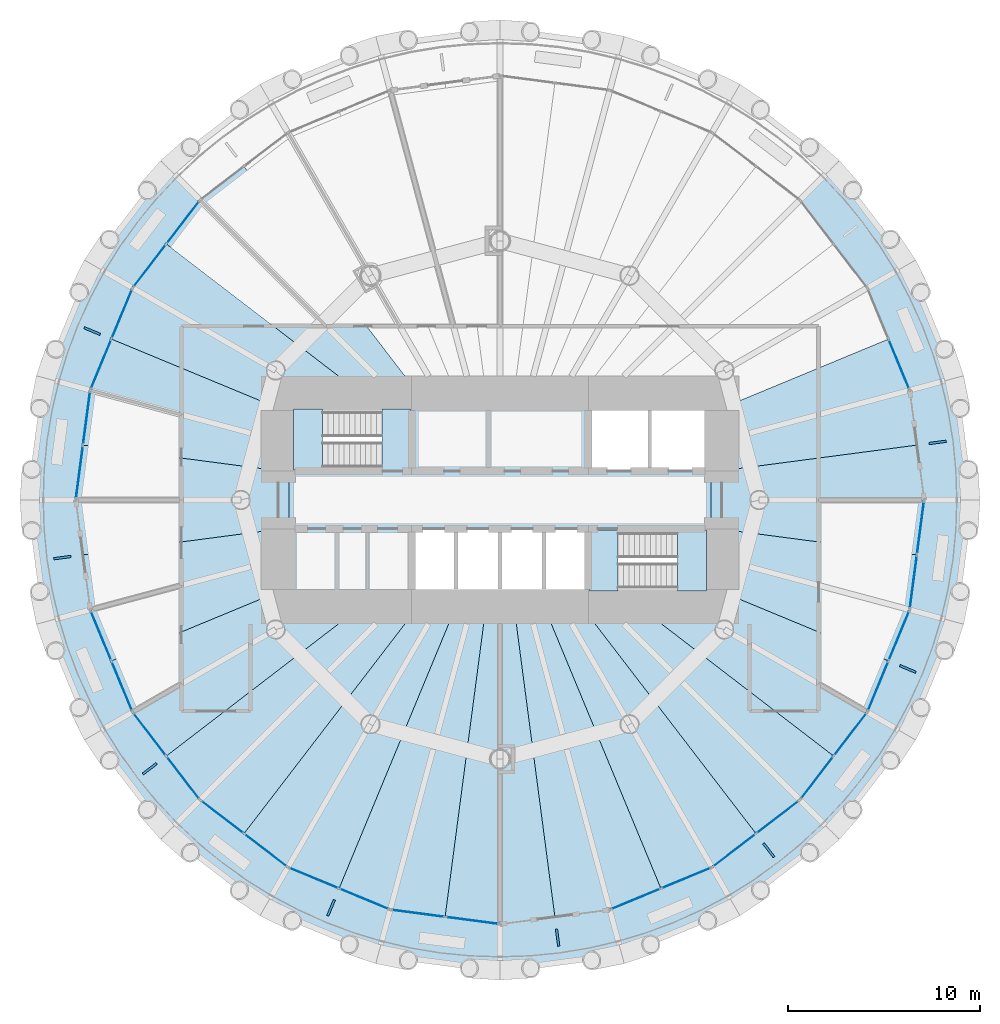
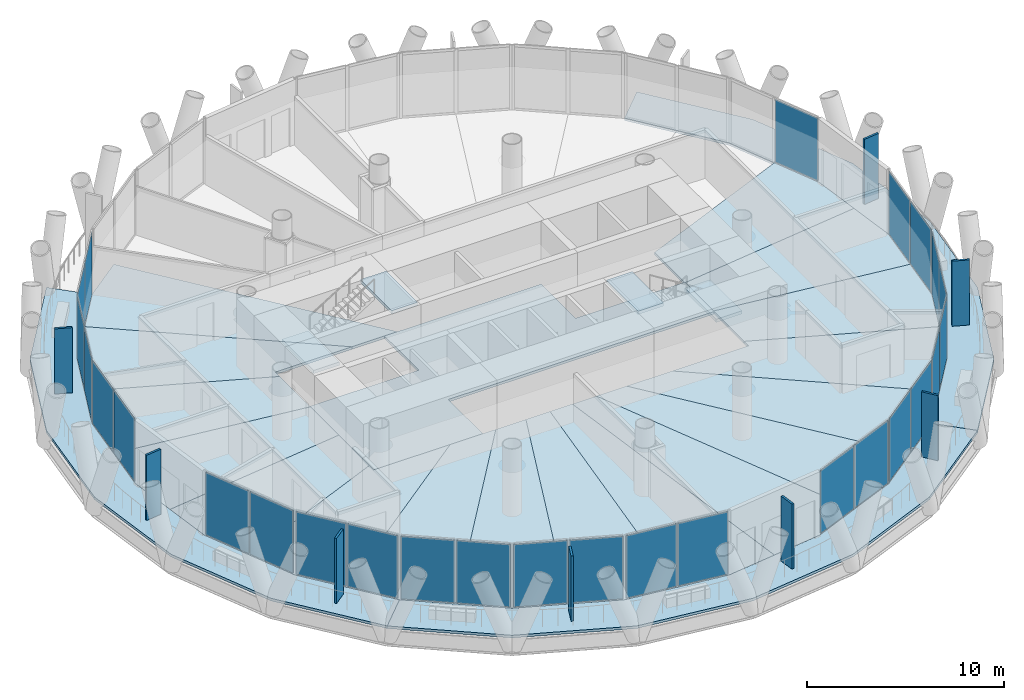
# One storey, part 7 of 15: 35 plates, 25 slabs, 16 elements without a shape of their own.
"""IFC4 building model written with IfcOpenShell, lengths in metres."""

import ifcopenshell
import ifcopenshell.guid

model = None  # the IFC model being written
_history = None  # IfcOwnerHistory: only IFC2X3 demands one
_inside = {}  # id of a spatial element -> (the spatial element, [elements in it])
_under = {}  # id of a project, library or spatial element -> (it, [spatial elements below it])
_declared = {}  # id of a project -> (the project, [libraries it declares])
_typed = {}  # id of a type object -> (the type object, [elements of that type])
_made_of = {}  # id of a material, layer set ... -> (it, [elements and type objects made of it])


def new_model(schema):
    """Start an empty IFC model of exactly this schema.

    Asked for "IFC4X3", IfcOpenShell would pick the latest addendum, in which some entities
    have other attributes; the version numbers below select the first issue.
    IFC2X3 requires an IfcOwnerHistory on every rooted entity: one is made here for all.
    """
    global model, _history
    if schema == "IFC4X3":
        model = ifcopenshell.file(schema_version=(4, 3, 0, 0))
    else:
        model = ifcopenshell.file(schema=schema)
    _inside.clear()
    _under.clear()
    _declared.clear()
    _typed.clear()
    _made_of.clear()
    _history = None
    if model.schema == "IFC2X3":
        org = make("IfcOrganization", Name="unknown")
        user = make(
            "IfcPersonAndOrganization",
            ThePerson=make("IfcPerson", FamilyName="unknown"),
            TheOrganization=org,
        )
        app = make(
            "IfcApplication",
            ApplicationDeveloper=org,
            Version="unknown",
            ApplicationFullName="unknown",
            ApplicationIdentifier="unknown",
        )
        _history = make(
            "IfcOwnerHistory",
            OwningUser=user,
            OwningApplication=app,
            ChangeAction="ADDED",
            CreationDate=0,
        )
    return model


def make(cls, **values):
    """One entity of the class cls with the attributes given. An attribute that is None is left unset."""
    return model.create_entity(
        cls, **{name: value for name, value in values.items() if value is not None}
    )


def rooted(cls, **values):
    """An entity with a GlobalId (a new one), such as an element, a storey or a relation."""
    return make(cls, GlobalId=ifcopenshell.guid.new(), OwnerHistory=_history, **values)


def si_unit(unit_type, name, prefix=None):
    """IfcSIUnit, for example si_unit("LENGTHUNIT", "METRE", prefix="MILLI")."""
    return make("IfcSIUnit", UnitType=unit_type, Prefix=prefix, Name=name)


def assignment(units):
    """IfcUnitAssignment: the units of a project."""
    return None if units is None else make("IfcUnitAssignment", Units=units)


def point(xyz):
    """IfcCartesianPoint."""
    return None if xyz is None else make("IfcCartesianPoint", Coordinates=xyz)


def direction(xyz):
    """IfcDirection."""
    return None if xyz is None else make("IfcDirection", DirectionRatios=xyz)


def frame(location, z_axis=None, x_axis=None):
    """IfcAxis2Placement3D, a coordinate frame: its origin and axes. An axis left out is left unset."""
    return make(
        "IfcAxis2Placement3D",
        Location=point(location),
        Axis=direction(z_axis),
        RefDirection=direction(x_axis),
    )


def frame_2d(location, x_axis=None):
    """IfcAxis2Placement2D, a coordinate frame in the plane: its origin and x axis."""
    return make(
        "IfcAxis2Placement2D", Location=point(location), RefDirection=direction(x_axis)
    )


def origin():
    """The frame at (0, 0, 0) with its axes left unset."""
    return frame((0.0, 0.0, 0.0))


def origin_2d():
    """The frame at (0, 0) in the plane with its x axis left unset."""
    return frame_2d((0.0, 0.0))


def place(relative_to, where):
    """IfcLocalPlacement: puts the frame where relative to a parent placement (None: the world)."""
    return make(
        "IfcLocalPlacement", PlacementRelTo=relative_to, RelativePlacement=where
    )


def context(
    kind, dimensions, precision=None, world=None, true_north=None, identifier=None
):
    """IfcGeometricRepresentationContext, for example the 3D "Model" context."""
    return make(
        "IfcGeometricRepresentationContext",
        ContextIdentifier=identifier,
        ContextType=kind,
        CoordinateSpaceDimension=dimensions,
        Precision=precision,
        WorldCoordinateSystem=world,
        TrueNorth=true_north,
    )


def subcontext(parent, identifier, kind, view, scale=None):
    """IfcGeometricRepresentationSubContext, for example "Body" below "Model"."""
    return make(
        "IfcGeometricRepresentationSubContext",
        ContextIdentifier=identifier,
        ContextType=kind,
        ParentContext=parent,
        TargetScale=scale,
        TargetView=view,
    )


def project(units=None, contexts=None):
    """IfcProject with its units and contexts."""
    return rooted(
        "IfcProject",
        Name="project",
        RepresentationContexts=contexts,
        UnitsInContext=assignment(units),
    )


def spatial(cls, under=None, at=None, **own):
    """A site, building, storey or space (cls), placed at a placement, below another one or the project."""
    s = rooted(cls, ObjectPlacement=at, **own)
    if under is not None:
        _under.setdefault(under.id(), (under, []))[1].append(s)
    return s


def polyline(points):
    """IfcPolyline through the points."""
    return make("IfcPolyline", Points=[point(p) for p in points])


def profile(cls, at=None, kind="AREA", **sizes):
    """A parametric profile (cls). Its sizes go by their IFC names, for example OverallWidth=200.0."""
    return make(cls, ProfileType=kind, Position=at, **sizes)


def rectangle(**sizes):
    """IfcRectangleProfileDef."""
    return profile("IfcRectangleProfileDef", **sizes)


def outline(outer, holes=None, kind="AREA"):
    """IfcArbitraryClosedProfileDef: a profile drawn as a closed curve; with holes, ...WithVoids."""
    if holes is None:
        return make("IfcArbitraryClosedProfileDef", ProfileType=kind, OuterCurve=outer)
    return make(
        "IfcArbitraryProfileDefWithVoids",
        ProfileType=kind,
        OuterCurve=outer,
        InnerCurves=holes,
    )


def extrude(swept, where, along, depth):
    """IfcExtrudedAreaSolid: the profile swept, set in the frame where, extruded along a direction by depth."""
    return make(
        "IfcExtrudedAreaSolid",
        SweptArea=swept,
        Position=where,
        ExtrudedDirection=direction(along),
        Depth=depth,
    )


def shape(context_of_items, identifier, shape_type, items):
    """IfcShapeRepresentation: the items that make up one representation, for example the "Body"."""
    return make(
        "IfcShapeRepresentation",
        ContextOfItems=context_of_items,
        RepresentationIdentifier=identifier,
        RepresentationType=shape_type,
        Items=items,
    )


def material(Name=None, Category=None):
    """IfcMaterial."""
    return make("IfcMaterial", Name=Name, Category=Category)


def layer(
    of_material, thickness, ventilated=None, Name=None, Category=None, Priority=None
):
    """IfcMaterialLayer: one layer of a wall or slab, of a material (None: an air gap)."""
    return make(
        "IfcMaterialLayer",
        Material=of_material,
        LayerThickness=thickness,
        IsVentilated=ventilated,
        Name=Name,
        Category=Category,
        Priority=Priority,
    )


def layer_set(layers, Name=None):
    """IfcMaterialLayerSet."""
    return make("IfcMaterialLayerSet", MaterialLayers=layers, LayerSetName=Name)


def made_of(thing, what):
    """Note that an element or type object is made of a material, layer set ...; save() writes the relation."""
    if what is not None:
        _made_of.setdefault(what.id(), (what, []))[1].append(thing)
    return thing


def type_object(cls, material=None, **own):
    """A type object (cls), such as IfcWallType, which elements share."""
    return made_of(rooted(cls, **own), material)


def element(
    cls,
    number,
    at=None,
    inside=None,
    cuts=None,
    type_object=None,
    material=None,
    context=None,
    identifier="Body",
    shape_type=None,
    held_by="IfcProductDefinitionShape",
    body=None,
    shapes=None,
    **own,
):
    """One element of the class cls, such as IfcWall. Its Tag is "e" and its number.

    at: its placement. inside: the storey or other place that contains it. cuts: it is an
    opening in that element (IfcRelVoidsElement). A single representation is given by context,
    identifier, shape_type and body (its items); several are given by shapes. held_by: the class
    of the entity that holds the representations. save() writes the other relations.
    """
    e = rooted(cls, Tag="e%d" % number, ObjectPlacement=at, **own)
    if body is not None:
        shapes = [shape(context, identifier, shape_type, body)]
    if shapes is not None:
        e.Representation = make(held_by, Representations=shapes)
    if inside is not None:
        _inside.setdefault(inside.id(), (inside, []))[1].append(e)
    if cuts is not None:
        rooted(
            "IfcRelVoidsElement", RelatingBuildingElement=cuts, RelatedOpeningElement=e
        )
    if type_object is not None:
        _typed.setdefault(type_object.id(), (type_object, []))[1].append(e)
    return made_of(e, material)


def aggregate(whole, parts):
    """IfcRelAggregates: a whole, such as a stair, and the parts it consists of."""
    return rooted("IfcRelAggregates", RelatingObject=whole, RelatedObjects=parts)


def save(model, path):
    """Write the relations noted so far, then the file.

    IfcRelAggregates (storeys below a building ...), IfcRelContainedInSpatialStructure (elements
    in a storey), IfcRelDefinesByType, IfcRelAssociatesMaterial and IfcRelDeclares: one each for
    every whole, place, type object, material and project.
    """
    for whole, parts in _under.values():
        aggregate(whole, parts)
    for where, things in _inside.values():
        rooted(
            "IfcRelContainedInSpatialStructure",
            RelatedElements=things,
            RelatingStructure=where,
        )
    for kind, things in _typed.values():
        rooted("IfcRelDefinesByType", RelatedObjects=things, RelatingType=kind)
    for what, things in _made_of.values():
        rooted("IfcRelAssociatesMaterial", RelatedObjects=things, RelatingMaterial=what)
    for by, libraries in _declared.values():
        rooted("IfcRelDeclares", RelatingContext=by, RelatedDefinitions=libraries)
    model.write(path)


model = new_model("IFC4")

# Units and contexts
model_context = context("Model", 3, precision=1e-05, world=origin(), true_north=direction((0.0, 1.0)))
body_context = subcontext(model_context, "Body", "Model", "MODEL_VIEW")
ifc_project = project(units=[si_unit("LENGTHUNIT", "METRE"), si_unit("AREAUNIT", "SQUARE_METRE"), si_unit("VOLUMEUNIT", "CUBIC_METRE"), si_unit("PLANEANGLEUNIT", "RADIAN"), si_unit("MASSUNIT", "GRAM", prefix="KILO")], contexts=[model_context])

# Site, building, storey
site_placement = place(None, origin())
site = spatial("IfcSite", under=ifc_project, at=site_placement, CompositionType="ELEMENT")
building_placement = place(site_placement, origin())
building = spatial("IfcBuilding", under=site, at=building_placement, Name="Qaws Media Tower", CompositionType="ELEMENT")
storey_placement = place(building_placement, frame((0.0, 0.0, 177.199951171875)))
storey = spatial("IfcBuildingStorey", under=building, at=storey_placement, Name="L40", CompositionType="ELEMENT", Elevation=177.199951171875)

# Slabs
ifc_material_1 = material(Name="Concrete C35/45", Category="concrete")
ifc_layer_1 = layer(ifc_material_1, 0.159912109375)
ifc_layer_set_1 = layer_set([ifc_layer_1], Name="Composite balcony slab 160")
slab_type_1 = type_object("IfcSlabType", Name="Composite balcony slab 160", PredefinedType="FLOOR", material=ifc_layer_set_1)
slab_1_placement = place(storey_placement, frame((0.0, 0.0, -0.159912109375)))
element("IfcSlab", 1, at=slab_1_placement, inside=storey, type_object=slab_type_1, Name="S2 balcony slab L40 R10 to R16, movement joints on R10 and R16", PredefinedType="FLOOR", context=body_context, shape_type="SweptSolid", body=[
    extrude(outline(polyline([(38.782470703125, 37.75), (36.334716796875, 43.658935546875), (35.5, 50.0), (36.334716796875, 56.341064453125), (38.782470703125, 62.25), (42.67578125, 67.32421875), (44.372802734375, 65.627197265625), (40.86083984375, 61.050048828125), (38.653076171875, 55.719970703125), (37.89990234375, 50.0), (38.653076171875, 44.280029296875), (40.86083984375, 38.949951171875), (44.372802734375, 34.372802734375), (42.67578125, 32.67578125), (38.782470703125, 37.75)])), origin(), (0.0, 0.0, 1.0), 0.159912109375),
])
slab_2_placement = place(storey_placement, frame((0.0, 0.0, -0.159912109375)))
element("IfcSlab", 2, at=slab_2_placement, inside=storey, type_object=slab_type_1, Name="S2 balcony slab L40 R16 to R22, movement joints on R16 and R22", PredefinedType="FLOOR", context=body_context, shape_type="SweptSolid", body=[
    extrude(outline(polyline([(72.25, 28.782470703125), (66.341064453125, 26.334716796875), (60.0, 25.5), (53.658935546875, 26.334716796875), (47.75, 28.782470703125), (42.67578125, 32.67578125), (44.372802734375, 34.372802734375), (48.949951171875, 30.86083984375), (54.280029296875, 28.653076171875), (60.0, 27.89990234375), (65.719970703125, 28.653076171875), (71.050048828125, 30.86083984375), (75.627197265625, 34.372802734375), (77.32421875, 32.67578125), (72.25, 28.782470703125)])), origin(), (0.0, 0.0, 1.0), 0.159912109375),
])
slab_3_placement = place(storey_placement, frame((0.0, 0.0, -0.159912109375)))
element("IfcSlab", 3, at=slab_3_placement, inside=storey, type_object=slab_type_1, Name="S2 balcony slab L40 R22 to R04, movement joints on R22 and R04", PredefinedType="FLOOR", context=body_context, shape_type="SweptSolid", body=[
    extrude(outline(polyline([(81.217529296875, 37.75), (77.32421875, 32.67578125), (75.627197265625, 34.372802734375), (79.13916015625, 38.949951171875), (81.346923828125, 44.280029296875), (82.10009765625, 50.0), (81.346923828125, 55.719970703125), (79.13916015625, 61.050048828125), (75.627197265625, 65.627197265625), (77.32421875, 67.32421875), (81.217529296875, 62.25), (83.665283203125, 56.341064453125), (84.5, 50.0), (83.665283203125, 43.658935546875), (81.217529296875, 37.75)])), origin(), (0.0, 0.0, 1.0), 0.159912109375),
])
ifc_material_2 = material(Name="Concrete C35/45", Category="concrete")
ifc_layer_2 = layer(ifc_material_2, 0.159912109375)
ifc_layer_set_2 = layer_set([ifc_layer_2], Name="Composite floor slab 160")
slab_type_2 = type_object("IfcSlabType", Name="Composite floor slab 160", PredefinedType="FLOOR", material=ifc_layer_set_2)
slab_4_placement = place(storey_placement, frame((0.0, 0.0, -0.159912109375)))
element("IfcSlab", 4, at=slab_4_placement, inside=storey, type_object=slab_type_2, Name="S1 core floor slab L40", PredefinedType="FLOOR", context=body_context, shape_type="SweptSolid", body=[
    extrude(outline(polyline([(71.0, 51.5), (71.0, 48.5), (55.39990234375, 48.5), (55.39990234375, 45.0), (49.0, 45.0), (49.0, 51.5), (55.39990234375, 51.5), (55.39990234375, 55.0), (64.60009765625, 55.0), (64.60009765625, 51.5), (71.0, 51.5)])), origin(), (0.0, 0.0, 1.0), 0.159912109375),
])
slab_5_placement = place(storey_placement, frame((0.0, 0.0, -0.159912109375)))
element("IfcSlab", 5, at=slab_5_placement, inside=storey, type_object=slab_type_2, Name="S1 floor panel L40 on R01", PredefinedType="FLOOR", context=body_context, shape_type="SweptSolid", body=[
    extrude(outline(polyline([(82.10009765625, 50.0), (81.723388671875, 47.139892578125), (71.0, 48.5517578125), (71.0, 51.4482421875), (81.723388671875, 52.860107421875), (82.10009765625, 50.0)])), origin(), (0.0, 0.0, 1.0), 0.159912109375),
])
slab_6_placement = place(storey_placement, frame((0.0, 0.0, -0.159912109375)))
element("IfcSlab", 6, at=slab_6_placement, inside=storey, type_object=slab_type_2, Name="S1 floor panel L40 on R02", PredefinedType="FLOOR", context=body_context, shape_type="SweptSolid", body=[
    extrude(outline(polyline([(81.346923828125, 55.719970703125), (81.723388671875, 52.860107421875), (71.0, 51.4482421875), (71.0, 54.556396484375), (80.2431640625, 58.385009765625), (81.346923828125, 55.719970703125)])), origin(), (0.0, 0.0, 1.0), 0.159912109375),
])
slab_7_placement = place(storey_placement, frame((0.0, 0.0, -0.159912109375)))
element("IfcSlab", 7, at=slab_7_placement, inside=storey, type_object=slab_type_2, Name="S1 floor panel L40 on R10", PredefinedType="FLOOR", context=body_context, shape_type="SweptSolid", body=[
    extrude(outline(polyline([(44.372802734375, 65.627197265625), (46.66162109375, 67.383056640625), (56.163330078125, 55.0), (53.48388671875, 55.0), (42.616943359375, 63.33837890625), (44.372802734375, 65.627197265625)])), origin(), (0.0, 0.0, 1.0), 0.159912109375),
])
slab_8_placement = place(storey_placement, frame((0.0, 0.0, -0.159912109375)))
element("IfcSlab", 8, at=slab_8_placement, inside=storey, type_object=slab_type_2, Name="S1 floor panel L40 on R11", PredefinedType="FLOOR", context=body_context, shape_type="SweptSolid", body=[
    extrude(outline(polyline([(40.86083984375, 61.050048828125), (42.616943359375, 63.33837890625), (53.48388671875, 55.0), (49.0, 55.0), (49.0, 54.556396484375), (39.7568359375, 58.385009765625), (40.86083984375, 61.050048828125)])), origin(), (0.0, 0.0, 1.0), 0.159912109375),
])
slab_9_placement = place(storey_placement, frame((0.0, 0.0, -0.159912109375)))
element("IfcSlab", 9, at=slab_9_placement, inside=storey, type_object=slab_type_2, Name="S1 floor panel L40 on R12", PredefinedType="FLOOR", context=body_context, shape_type="SweptSolid", body=[
    extrude(outline(polyline([(38.653076171875, 55.719970703125), (39.7568359375, 58.385009765625), (49.0, 54.556396484375), (49.0, 51.4482421875), (38.276611328125, 52.860107421875), (38.653076171875, 55.719970703125)])), origin(), (0.0, 0.0, 1.0), 0.159912109375),
])
slab_10_placement = place(storey_placement, frame((0.0, 0.0, -0.159912109375)))
element("IfcSlab", 10, at=slab_10_placement, inside=storey, type_object=slab_type_2, Name="S1 floor panel L40 on R13", PredefinedType="FLOOR", context=body_context, shape_type="SweptSolid", body=[
    extrude(outline(polyline([(37.89990234375, 50.0), (38.276611328125, 52.860107421875), (49.0, 51.4482421875), (49.0, 48.5517578125), (38.276611328125, 47.139892578125), (37.89990234375, 50.0)])), origin(), (0.0, 0.0, 1.0), 0.159912109375),
])
slab_11_placement = place(storey_placement, frame((0.0, 0.0, -0.159912109375)))
element("IfcSlab", 11, at=slab_11_placement, inside=storey, type_object=slab_type_2, Name="S1 floor panel L40 on R14", PredefinedType="FLOOR", context=body_context, shape_type="SweptSolid", body=[
    extrude(outline(polyline([(38.653076171875, 44.280029296875), (38.276611328125, 47.139892578125), (49.0, 48.5517578125), (49.0, 45.443603515625), (39.7568359375, 41.614990234375), (38.653076171875, 44.280029296875)])), origin(), (0.0, 0.0, 1.0), 0.159912109375),
])
slab_12_placement = place(storey_placement, frame((0.0, 0.0, -0.159912109375)))
element("IfcSlab", 12, at=slab_12_placement, inside=storey, type_object=slab_type_2, Name="S1 floor panel L40 on R15", PredefinedType="FLOOR", context=body_context, shape_type="SweptSolid", body=[
    extrude(outline(polyline([(40.86083984375, 38.949951171875), (39.7568359375, 41.614990234375), (49.0, 45.443603515625), (49.0, 45.0), (53.48388671875, 45.0), (42.616943359375, 36.66162109375), (40.86083984375, 38.949951171875)])), origin(), (0.0, 0.0, 1.0), 0.159912109375),
])
slab_13_placement = place(storey_placement, frame((0.0, 0.0, -0.159912109375)))
element("IfcSlab", 13, at=slab_13_placement, inside=storey, type_object=slab_type_2, Name="S1 floor panel L40 on R16", PredefinedType="FLOOR", context=body_context, shape_type="SweptSolid", body=[
    extrude(outline(polyline([(44.372802734375, 34.372802734375), (42.616943359375, 36.66162109375), (53.48388671875, 45.0), (56.163330078125, 45.0), (46.66162109375, 32.616943359375), (44.372802734375, 34.372802734375)])), origin(), (0.0, 0.0, 1.0), 0.159912109375),
])
slab_14_placement = place(storey_placement, frame((0.0, 0.0, -0.159912109375)))
element("IfcSlab", 14, at=slab_14_placement, inside=storey, type_object=slab_type_2, Name="S1 floor panel L40 on R17", PredefinedType="FLOOR", context=body_context, shape_type="SweptSolid", body=[
    extrude(outline(polyline([(48.949951171875, 30.86083984375), (46.66162109375, 32.616943359375), (56.163330078125, 45.0), (57.928955078125, 45.0), (51.614990234375, 29.7568359375), (48.949951171875, 30.86083984375)])), origin(), (0.0, 0.0, 1.0), 0.159912109375),
])
slab_15_placement = place(storey_placement, frame((0.0, 0.0, -0.159912109375)))
element("IfcSlab", 15, at=slab_15_placement, inside=storey, type_object=slab_type_2, Name="S1 floor panel L40 on R18", PredefinedType="FLOOR", context=body_context, shape_type="SweptSolid", body=[
    extrude(outline(polyline([(54.280029296875, 28.653076171875), (51.614990234375, 29.7568359375), (57.928955078125, 45.0), (59.341796875, 45.0), (57.139892578125, 28.276611328125), (54.280029296875, 28.653076171875)])), origin(), (0.0, 0.0, 1.0), 0.159912109375),
])
slab_16_placement = place(storey_placement, frame((0.0, 0.0, -0.159912109375)))
element("IfcSlab", 16, at=slab_16_placement, inside=storey, type_object=slab_type_2, Name="S1 floor panel L40 on R19", PredefinedType="FLOOR", context=body_context, shape_type="SweptSolid", body=[
    extrude(outline(polyline([(60.0, 27.89990234375), (57.139892578125, 28.276611328125), (59.341796875, 45.0), (60.658203125, 45.0), (62.860107421875, 28.276611328125), (60.0, 27.89990234375)])), origin(), (0.0, 0.0, 1.0), 0.159912109375),
])
slab_17_placement = place(storey_placement, frame((0.0, 0.0, -0.159912109375)))
element("IfcSlab", 17, at=slab_17_placement, inside=storey, type_object=slab_type_2, Name="S1 floor panel L40 on R20", PredefinedType="FLOOR", context=body_context, shape_type="SweptSolid", body=[
    extrude(outline(polyline([(65.719970703125, 28.653076171875), (62.860107421875, 28.276611328125), (60.658203125, 45.0), (62.071044921875, 45.0), (68.385009765625, 29.7568359375), (65.719970703125, 28.653076171875)])), origin(), (0.0, 0.0, 1.0), 0.159912109375),
])
slab_18_placement = place(storey_placement, frame((0.0, 0.0, -0.159912109375)))
element("IfcSlab", 18, at=slab_18_placement, inside=storey, type_object=slab_type_2, Name="S1 floor panel L40 on R21", PredefinedType="FLOOR", context=body_context, shape_type="SweptSolid", body=[
    extrude(outline(polyline([(71.050048828125, 30.86083984375), (68.385009765625, 29.7568359375), (62.071044921875, 45.0), (63.836669921875, 45.0), (73.33837890625, 32.616943359375), (71.050048828125, 30.86083984375)])), origin(), (0.0, 0.0, 1.0), 0.159912109375),
])
slab_19_placement = place(storey_placement, frame((0.0, 0.0, -0.159912109375)))
element("IfcSlab", 19, at=slab_19_placement, inside=storey, type_object=slab_type_2, Name="S1 floor panel L40 on R22", PredefinedType="FLOOR", context=body_context, shape_type="SweptSolid", body=[
    extrude(outline(polyline([(75.627197265625, 34.372802734375), (73.33837890625, 32.616943359375), (63.836669921875, 45.0), (66.51611328125, 45.0), (77.383056640625, 36.66162109375), (75.627197265625, 34.372802734375)])), origin(), (0.0, 0.0, 1.0), 0.159912109375),
])
slab_20_placement = place(storey_placement, frame((0.0, 0.0, -0.159912109375)))
element("IfcSlab", 20, at=slab_20_placement, inside=storey, type_object=slab_type_2, Name="S1 floor panel L40 on R23", PredefinedType="FLOOR", context=body_context, shape_type="SweptSolid", body=[
    extrude(outline(polyline([(79.13916015625, 38.949951171875), (77.383056640625, 36.66162109375), (66.51611328125, 45.0), (71.0, 45.0), (71.0, 45.443603515625), (80.2431640625, 41.614990234375), (79.13916015625, 38.949951171875)])), origin(), (0.0, 0.0, 1.0), 0.159912109375),
])
slab_21_placement = place(storey_placement, frame((0.0, 0.0, -0.159912109375)))
element("IfcSlab", 21, at=slab_21_placement, inside=storey, type_object=slab_type_2, Name="S1 floor panel L40 on R24", PredefinedType="FLOOR", context=body_context, shape_type="SweptSolid", body=[
    extrude(outline(polyline([(80.2431640625, 41.614990234375), (71.0, 45.443603515625), (71.0, 48.5517578125), (81.723388671875, 47.139892578125), (81.346923828125, 44.280029296875), (80.2431640625, 41.614990234375)])), origin(), (0.0, 0.0, 1.0), 0.159912109375),
])

# Curtain wall, plate
ifc_material_3 = material(Name="Aluminium and clear glass", Category="aluminium")
curtain_wall_type = type_object("IfcCurtainWallType", Name="Unitised curtain wall CW-B", PredefinedType="NOTDEFINED", material=ifc_material_3)
curtain_wall_1_placement = place(storey_placement, origin())
curtain_wall_1 = element("IfcCurtainWall", 22, at=curtain_wall_1_placement, inside=storey, type_object=curtain_wall_type, Name="CWB curtain wall L40-02", PredefinedType="NOTDEFINED")
ifc_material_4 = material(Name="Clear laminated double glazing", Category="glass")
ifc_layer_3 = layer(ifc_material_4, 0.031982421875)
ifc_layer_set_3 = layer_set([ifc_layer_3], Name="Curtain wall glass unit 32")
plate_type_1 = type_object("IfcPlateType", Name="Curtain wall glass unit 32", PredefinedType="CURTAIN_PANEL", material=ifc_layer_set_3)
plate_1_placement = place(storey_placement, frame((80.787353515625, 57.07080078125, 0.080078125), z_axis=(0.0, 0.0, 1.0), x_axis=(-0.382683536724, 0.923879489284, 0.0)))
plate_1 = element("IfcPlate", 23, at=plate_1_placement, type_object=plate_type_1, Name="CWB panel 1.1", PredefinedType="CURTAIN_PANEL", context=body_context, shape_type="SweptSolid", body=[
    extrude(rectangle(XDim=2.7646484375, YDim=0.031982421875, at=origin_2d()), origin(), (0.0, 0.0, 1.0), 3.8798828125),
])
aggregate(curtain_wall_1, [plate_1])

# Curtain wall, plates
curtain_wall_2_placement = place(storey_placement, origin())
curtain_wall_2 = element("IfcCurtainWall", 24, at=curtain_wall_2_placement, inside=storey, type_object=curtain_wall_type, Name="CWB curtain wall L40-10", PredefinedType="NOTDEFINED")
plate_2_placement = place(storey_placement, frame((43.482666015625, 64.467041015625, 0.080078125), z_axis=(0.0, 0.0, 1.0), x_axis=(-0.608761356619, -0.793353395838, 0.0)))
plate_2 = element("IfcPlate", 25, at=plate_2_placement, type_object=plate_type_1, Name="CWB panel 1.1", PredefinedType="CURTAIN_PANEL", context=body_context, shape_type="SweptSolid", body=[
    extrude(rectangle(XDim=2.7646484375, YDim=0.031982421875, at=origin_2d()), origin(), (0.0, 0.0, 1.0), 3.8798828125),
])
plate_3_placement = place(storey_placement, frame((41.7509765625, 62.210205078125, 0.080078125), z_axis=(0.0, 0.0, 1.0), x_axis=(-0.608761356619, -0.793353395838, 0.0)))
plate_3 = element("IfcPlate", 26, at=plate_3_placement, type_object=plate_type_1, Name="CWB panel 2.1", PredefinedType="CURTAIN_PANEL", context=body_context, shape_type="SweptSolid", body=[
    extrude(rectangle(XDim=2.7646484375, YDim=0.031982421875, at=origin_2d()), origin(), (0.0, 0.0, 1.0), 3.8798828125),
])
aggregate(curtain_wall_2, [plate_2, plate_3])

curtain_wall_3_placement = place(storey_placement, origin())
curtain_wall_3 = element("IfcCurtainWall", 27, at=curtain_wall_3_placement, inside=storey, type_object=curtain_wall_type, Name="CWB curtain wall L40-11", PredefinedType="NOTDEFINED")
plate_4_placement = place(storey_placement, frame((40.30126953125, 59.698974609375, 0.080078125), z_axis=(0.0, 0.0, 1.0), x_axis=(-0.382683536724, -0.923879489284, 0.0)))
plate_4 = element("IfcPlate", 28, at=plate_4_placement, type_object=plate_type_1, Name="CWB panel 1.1", PredefinedType="CURTAIN_PANEL", context=body_context, shape_type="SweptSolid", body=[
    extrude(rectangle(XDim=2.7646484375, YDim=0.031982421875, at=origin_2d()), origin(), (0.0, 0.0, 1.0), 3.8798828125),
])
plate_5_placement = place(storey_placement, frame((39.212646484375, 57.07080078125, 0.080078125), z_axis=(0.0, 0.0, 1.0), x_axis=(-0.382683536724, -0.923879489284, 0.0)))
plate_5 = element("IfcPlate", 29, at=plate_5_placement, type_object=plate_type_1, Name="CWB panel 2.1", PredefinedType="CURTAIN_PANEL", context=body_context, shape_type="SweptSolid", body=[
    extrude(rectangle(XDim=2.7646484375, YDim=0.031982421875, at=origin_2d()), origin(), (0.0, 0.0, 1.0), 3.8798828125),
])
aggregate(curtain_wall_3, [plate_4, plate_5])

curtain_wall_4_placement = place(storey_placement, origin())
curtain_wall_4 = element("IfcCurtainWall", 30, at=curtain_wall_4_placement, inside=storey, type_object=curtain_wall_type, Name="CWB curtain wall L40-12", PredefinedType="NOTDEFINED")
plate_6_placement = place(storey_placement, frame((38.462158203125, 54.27001953125, 0.080078125), z_axis=(0.0, 0.0, 1.0), x_axis=(-0.130526149185, -0.991444867039, 0.0)))
plate_6 = element("IfcPlate", 31, at=plate_6_placement, type_object=plate_type_1, Name="CWB panel 1.1", PredefinedType="CURTAIN_PANEL", context=body_context, shape_type="SweptSolid", body=[
    extrude(rectangle(XDim=2.7646484375, YDim=0.031982421875, at=origin_2d()), origin(), (0.0, 0.0, 1.0), 3.8798828125),
])
plate_7_placement = place(storey_placement, frame((38.0908203125, 51.44970703125, 0.080078125), z_axis=(0.0, 0.0, 1.0), x_axis=(-0.130526149185, -0.991444867039, 0.0)))
plate_7 = element("IfcPlate", 32, at=plate_7_placement, type_object=plate_type_1, Name="CWB panel 2.1", PredefinedType="CURTAIN_PANEL", context=body_context, shape_type="SweptSolid", body=[
    extrude(rectangle(XDim=2.7646484375, YDim=0.031982421875, at=origin_2d()), origin(), (0.0, 0.0, 1.0), 3.8798828125),
])
aggregate(curtain_wall_4, [plate_6, plate_7])

curtain_wall_5_placement = place(storey_placement, origin())
curtain_wall_5 = element("IfcCurtainWall", 33, at=curtain_wall_5_placement, inside=storey, type_object=curtain_wall_type, Name="CWB curtain wall L40-14", PredefinedType="NOTDEFINED")
plate_8_placement = place(storey_placement, frame((39.212646484375, 42.92919921875, 0.080078125), z_axis=(0.0, 0.0, 1.0), x_axis=(0.382683536724, -0.923879489284, 0.0)))
plate_8 = element("IfcPlate", 34, at=plate_8_placement, type_object=plate_type_1, Name="CWB panel 1.1", PredefinedType="CURTAIN_PANEL", context=body_context, shape_type="SweptSolid", body=[
    extrude(rectangle(XDim=2.7646484375, YDim=0.031982421875, at=origin_2d()), origin(), (0.0, 0.0, 1.0), 3.8798828125),
])
plate_9_placement = place(storey_placement, frame((40.30126953125, 40.301025390625, 0.080078125), z_axis=(0.0, 0.0, 1.0), x_axis=(0.382683536724, -0.923879489284, 0.0)))
plate_9 = element("IfcPlate", 35, at=plate_9_placement, type_object=plate_type_1, Name="CWB panel 2.1", PredefinedType="CURTAIN_PANEL", context=body_context, shape_type="SweptSolid", body=[
    extrude(rectangle(XDim=2.7646484375, YDim=0.031982421875, at=origin_2d()), origin(), (0.0, 0.0, 1.0), 3.8798828125),
])
aggregate(curtain_wall_5, [plate_8, plate_9])

curtain_wall_6_placement = place(storey_placement, origin())
curtain_wall_6 = element("IfcCurtainWall", 36, at=curtain_wall_6_placement, inside=storey, type_object=curtain_wall_type, Name="CWB curtain wall L40-15", PredefinedType="NOTDEFINED")
plate_10_placement = place(storey_placement, frame((41.7509765625, 37.789794921875, 0.080078125), z_axis=(0.0, 0.0, 1.0), x_axis=(0.608761356619, -0.793353395838, 0.0)))
plate_10 = element("IfcPlate", 37, at=plate_10_placement, type_object=plate_type_1, Name="CWB panel 1.1", PredefinedType="CURTAIN_PANEL", context=body_context, shape_type="SweptSolid", body=[
    extrude(rectangle(XDim=2.7646484375, YDim=0.031982421875, at=origin_2d()), origin(), (0.0, 0.0, 1.0), 3.8798828125),
])
plate_11_placement = place(storey_placement, frame((43.482666015625, 35.532958984375, 0.080078125), z_axis=(0.0, 0.0, 1.0), x_axis=(0.608761356619, -0.793353395838, 0.0)))
plate_11 = element("IfcPlate", 38, at=plate_11_placement, type_object=plate_type_1, Name="CWB panel 2.1", PredefinedType="CURTAIN_PANEL", context=body_context, shape_type="SweptSolid", body=[
    extrude(rectangle(XDim=2.7646484375, YDim=0.031982421875, at=origin_2d()), origin(), (0.0, 0.0, 1.0), 3.8798828125),
])
aggregate(curtain_wall_6, [plate_10, plate_11])

curtain_wall_7_placement = place(storey_placement, origin())
curtain_wall_7 = element("IfcCurtainWall", 39, at=curtain_wall_7_placement, inside=storey, type_object=curtain_wall_type, Name="CWB curtain wall L40-16", PredefinedType="NOTDEFINED")
plate_12_placement = place(storey_placement, frame((45.532958984375, 33.482666015625, 0.080078125), z_axis=(0.0, 0.0, 1.0), x_axis=(0.793353395838, -0.608761356619, 0.0)))
plate_12 = element("IfcPlate", 40, at=plate_12_placement, type_object=plate_type_1, Name="CWB panel 1.1", PredefinedType="CURTAIN_PANEL", context=body_context, shape_type="SweptSolid", body=[
    extrude(rectangle(XDim=2.7646484375, YDim=0.031982421875, at=origin_2d()), origin(), (0.0, 0.0, 1.0), 3.8798828125),
])
plate_13_placement = place(storey_placement, frame((47.789794921875, 31.7509765625, 0.080078125), z_axis=(0.0, 0.0, 1.0), x_axis=(0.793353395838, -0.608761356619, 0.0)))
plate_13 = element("IfcPlate", 41, at=plate_13_placement, type_object=plate_type_1, Name="CWB panel 2.1", PredefinedType="CURTAIN_PANEL", context=body_context, shape_type="SweptSolid", body=[
    extrude(rectangle(XDim=2.7646484375, YDim=0.031982421875, at=origin_2d()), origin(), (0.0, 0.0, 1.0), 3.8798828125),
])
aggregate(curtain_wall_7, [plate_12, plate_13])

curtain_wall_8_placement = place(storey_placement, origin())
curtain_wall_8 = element("IfcCurtainWall", 42, at=curtain_wall_8_placement, inside=storey, type_object=curtain_wall_type, Name="CWB curtain wall L40-17", PredefinedType="NOTDEFINED")
plate_14_placement = place(storey_placement, frame((50.301025390625, 30.30126953125, 0.080078125), z_axis=(0.0, 0.0, 1.0), x_axis=(0.923879489284, -0.382683536724, 0.0)))
plate_14 = element("IfcPlate", 43, at=plate_14_placement, type_object=plate_type_1, Name="CWB panel 1.1", PredefinedType="CURTAIN_PANEL", context=body_context, shape_type="SweptSolid", body=[
    extrude(rectangle(XDim=2.7646484375, YDim=0.031982421875, at=origin_2d()), origin(), (0.0, 0.0, 1.0), 3.8798828125),
])
plate_15_placement = place(storey_placement, frame((52.92919921875, 29.212646484375, 0.080078125), z_axis=(0.0, 0.0, 1.0), x_axis=(0.923879489284, -0.382683536724, 0.0)))
plate_15 = element("IfcPlate", 44, at=plate_15_placement, type_object=plate_type_1, Name="CWB panel 2.1", PredefinedType="CURTAIN_PANEL", context=body_context, shape_type="SweptSolid", body=[
    extrude(rectangle(XDim=2.7646484375, YDim=0.031982421875, at=origin_2d()), origin(), (0.0, 0.0, 1.0), 3.8798828125),
])
aggregate(curtain_wall_8, [plate_14, plate_15])

curtain_wall_9_placement = place(storey_placement, origin())
curtain_wall_9 = element("IfcCurtainWall", 45, at=curtain_wall_9_placement, inside=storey, type_object=curtain_wall_type, Name="CWB curtain wall L40-18", PredefinedType="NOTDEFINED")
plate_16_placement = place(storey_placement, frame((55.72998046875, 28.462158203125, 0.080078125), z_axis=(0.0, 0.0, 1.0), x_axis=(0.991444867039, -0.130526149185, 0.0)))
plate_16 = element("IfcPlate", 46, at=plate_16_placement, type_object=plate_type_1, Name="CWB panel 1.1", PredefinedType="CURTAIN_PANEL", context=body_context, shape_type="SweptSolid", body=[
    extrude(rectangle(XDim=2.7646484375, YDim=0.031982421875, at=origin_2d()), origin(), (0.0, 0.0, 1.0), 3.8798828125),
])
plate_17_placement = place(storey_placement, frame((58.55029296875, 28.0908203125, 0.080078125), z_axis=(0.0, 0.0, 1.0), x_axis=(0.991444867039, -0.130526149185, 0.0)))
plate_17 = element("IfcPlate", 47, at=plate_17_placement, type_object=plate_type_1, Name="CWB panel 2.1", PredefinedType="CURTAIN_PANEL", context=body_context, shape_type="SweptSolid", body=[
    extrude(rectangle(XDim=2.7646484375, YDim=0.031982421875, at=origin_2d()), origin(), (0.0, 0.0, 1.0), 3.8798828125),
])
aggregate(curtain_wall_9, [plate_16, plate_17])

curtain_wall_10_placement = place(storey_placement, origin())
curtain_wall_10 = element("IfcCurtainWall", 48, at=curtain_wall_10_placement, inside=storey, type_object=curtain_wall_type, Name="CWB curtain wall L40-20", PredefinedType="NOTDEFINED")
plate_18_placement = place(storey_placement, frame((67.07080078125, 29.212646484375, 0.080078125), z_axis=(0.0, 0.0, 1.0), x_axis=(0.923879489284, 0.382683536724, 0.0)))
plate_18 = element("IfcPlate", 49, at=plate_18_placement, type_object=plate_type_1, Name="CWB panel 1.1", PredefinedType="CURTAIN_PANEL", context=body_context, shape_type="SweptSolid", body=[
    extrude(rectangle(XDim=2.7646484375, YDim=0.031982421875, at=origin_2d()), origin(), (0.0, 0.0, 1.0), 3.8798828125),
])
plate_19_placement = place(storey_placement, frame((69.698974609375, 30.30126953125, 0.080078125), z_axis=(0.0, 0.0, 1.0), x_axis=(0.923879489284, 0.382683536724, 0.0)))
plate_19 = element("IfcPlate", 50, at=plate_19_placement, type_object=plate_type_1, Name="CWB panel 2.1", PredefinedType="CURTAIN_PANEL", context=body_context, shape_type="SweptSolid", body=[
    extrude(rectangle(XDim=2.7646484375, YDim=0.031982421875, at=origin_2d()), origin(), (0.0, 0.0, 1.0), 3.8798828125),
])
aggregate(curtain_wall_10, [plate_18, plate_19])

curtain_wall_11_placement = place(storey_placement, origin())
curtain_wall_11 = element("IfcCurtainWall", 51, at=curtain_wall_11_placement, inside=storey, type_object=curtain_wall_type, Name="CWB curtain wall L40-21", PredefinedType="NOTDEFINED")
plate_20_placement = place(storey_placement, frame((72.210205078125, 31.7509765625, 0.080078125), z_axis=(0.0, 0.0, 1.0), x_axis=(0.793353395838, 0.608761356619, 0.0)))
plate_20 = element("IfcPlate", 52, at=plate_20_placement, type_object=plate_type_1, Name="CWB panel 1.1", PredefinedType="CURTAIN_PANEL", context=body_context, shape_type="SweptSolid", body=[
    extrude(rectangle(XDim=2.7646484375, YDim=0.031982421875, at=origin_2d()), origin(), (0.0, 0.0, 1.0), 3.8798828125),
])
plate_21_placement = place(storey_placement, frame((74.467041015625, 33.482666015625, 0.080078125), z_axis=(0.0, 0.0, 1.0), x_axis=(0.793353395838, 0.608761356619, 0.0)))
plate_21 = element("IfcPlate", 53, at=plate_21_placement, type_object=plate_type_1, Name="CWB panel 2.1", PredefinedType="CURTAIN_PANEL", context=body_context, shape_type="SweptSolid", body=[
    extrude(rectangle(XDim=2.7646484375, YDim=0.031982421875, at=origin_2d()), origin(), (0.0, 0.0, 1.0), 3.8798828125),
])
aggregate(curtain_wall_11, [plate_20, plate_21])

curtain_wall_12_placement = place(storey_placement, origin())
curtain_wall_12 = element("IfcCurtainWall", 54, at=curtain_wall_12_placement, inside=storey, type_object=curtain_wall_type, Name="CWB curtain wall L40-22", PredefinedType="NOTDEFINED")
plate_22_placement = place(storey_placement, frame((76.517333984375, 35.532958984375, 0.080078125), z_axis=(0.0, 0.0, 1.0), x_axis=(0.608761356619, 0.793353395838, 0.0)))
plate_22 = element("IfcPlate", 55, at=plate_22_placement, type_object=plate_type_1, Name="CWB panel 1.1", PredefinedType="CURTAIN_PANEL", context=body_context, shape_type="SweptSolid", body=[
    extrude(rectangle(XDim=2.7646484375, YDim=0.031982421875, at=origin_2d()), origin(), (0.0, 0.0, 1.0), 3.8798828125),
])
plate_23_placement = place(storey_placement, frame((78.2490234375, 37.789794921875, 0.080078125), z_axis=(0.0, 0.0, 1.0), x_axis=(0.608761356619, 0.793353395838, 0.0)))
plate_23 = element("IfcPlate", 56, at=plate_23_placement, type_object=plate_type_1, Name="CWB panel 2.1", PredefinedType="CURTAIN_PANEL", context=body_context, shape_type="SweptSolid", body=[
    extrude(rectangle(XDim=2.7646484375, YDim=0.031982421875, at=origin_2d()), origin(), (0.0, 0.0, 1.0), 3.8798828125),
])
aggregate(curtain_wall_12, [plate_22, plate_23])

curtain_wall_13_placement = place(storey_placement, origin())
curtain_wall_13 = element("IfcCurtainWall", 57, at=curtain_wall_13_placement, inside=storey, type_object=curtain_wall_type, Name="CWB curtain wall L40-23", PredefinedType="NOTDEFINED")
plate_24_placement = place(storey_placement, frame((79.69873046875, 40.301025390625, 0.080078125), z_axis=(0.0, 0.0, 1.0), x_axis=(0.382683536724, 0.923879489284, 0.0)))
plate_24 = element("IfcPlate", 58, at=plate_24_placement, type_object=plate_type_1, Name="CWB panel 1.1", PredefinedType="CURTAIN_PANEL", context=body_context, shape_type="SweptSolid", body=[
    extrude(rectangle(XDim=2.7646484375, YDim=0.031982421875, at=origin_2d()), origin(), (0.0, 0.0, 1.0), 3.8798828125),
])
plate_25_placement = place(storey_placement, frame((80.787353515625, 42.92919921875, 0.080078125), z_axis=(0.0, 0.0, 1.0), x_axis=(0.382683536724, 0.923879489284, 0.0)))
plate_25 = element("IfcPlate", 59, at=plate_25_placement, type_object=plate_type_1, Name="CWB panel 2.1", PredefinedType="CURTAIN_PANEL", context=body_context, shape_type="SweptSolid", body=[
    extrude(rectangle(XDim=2.7646484375, YDim=0.031982421875, at=origin_2d()), origin(), (0.0, 0.0, 1.0), 3.8798828125),
])
aggregate(curtain_wall_13, [plate_24, plate_25])

curtain_wall_14_placement = place(storey_placement, origin())
curtain_wall_14 = element("IfcCurtainWall", 60, at=curtain_wall_14_placement, inside=storey, type_object=curtain_wall_type, Name="CWB curtain wall L40-24", PredefinedType="NOTDEFINED")
plate_26_placement = place(storey_placement, frame((81.537841796875, 45.72998046875, 0.080078125), z_axis=(0.0, 0.0, 1.0), x_axis=(0.130526149185, 0.991444867039, 0.0)))
plate_26 = element("IfcPlate", 61, at=plate_26_placement, type_object=plate_type_1, Name="CWB panel 1.1", PredefinedType="CURTAIN_PANEL", context=body_context, shape_type="SweptSolid", body=[
    extrude(rectangle(XDim=2.7646484375, YDim=0.031982421875, at=origin_2d()), origin(), (0.0, 0.0, 1.0), 3.8798828125),
])
plate_27_placement = place(storey_placement, frame((81.9091796875, 48.55029296875, 0.080078125), z_axis=(0.0, 0.0, 1.0), x_axis=(0.130526149185, 0.991444867039, 0.0)))
plate_27 = element("IfcPlate", 62, at=plate_27_placement, type_object=plate_type_1, Name="CWB panel 2.1", PredefinedType="CURTAIN_PANEL", context=body_context, shape_type="SweptSolid", body=[
    extrude(rectangle(XDim=2.7646484375, YDim=0.031982421875, at=origin_2d()), origin(), (0.0, 0.0, 1.0), 3.8798828125),
])
aggregate(curtain_wall_14, [plate_26, plate_27])

# Plates
ifc_material_5 = material(Name="Precast concrete screen fin", Category="concrete")
ifc_layer_4 = layer(ifc_material_5, 0.1201171875)
ifc_layer_set_4 = layer_set([ifc_layer_4], Name="Screen fin 120x900")
plate_type_2 = type_object("IfcPlateType", Name="Screen fin 120x900", PredefinedType="USERDEFINED", material=ifc_layer_set_4)
for number, where, z_axis, x_axis, name in (
    (63, (82.80322265625, 53.002197265625, 0.0), (0.0, 0.0, 1.0), (0.991444861374, 0.13052619222, 0.0), "SCR1 screen fin L40-01"),
    (64, (38.750732421875, 58.8017578125, 0.0), (0.0, 0.0, 1.0), (-0.923879532511, 0.382683432365, 0.0), "SCR1 screen fin L40-06"),
    (65, (37.19677734375, 46.997802734375, 0.0), (0.0, 0.0, 1.0), (-0.991444861374, -0.13052619222, 0.0), "SCR1 screen fin L40-07"),
    (66, (41.7529296875, 35.99853515625, 0.0), (0.0, 0.0, 1.0), (-0.793353340291, -0.608761429009, 0.0), "SCR1 screen fin L40-08"),
    (67, (51.1982421875, 28.750732421875, 0.0), (0.0, 0.0, 1.0), (-0.382683432365, -0.923879532511, 0.0), "SCR1 screen fin L40-09"),
    (68, (63.002197265625, 27.19677734375, 0.0), (0.0, 0.0, 1.0), (0.13052619222, -0.991444861374, 0.0), "SCR1 screen fin L40-10"),
    (69, (74.00146484375, 31.7529296875, 0.0), (0.0, 0.0, 1.0), (0.608761429009, -0.793353340291, 0.0), "SCR1 screen fin L40-11"),
    (70, (81.249267578125, 41.1982421875, 0.0), (0.0, 0.0, 1.0), (0.923879532511, -0.382683432365, 0.0), "SCR1 screen fin L40-12"),
):
    element("IfcPlate", number, at=place(storey_placement, frame(where, z_axis=z_axis, x_axis=x_axis)), inside=storey, type_object=plate_type_2, Name=name, ObjectType="SCREEN", PredefinedType="USERDEFINED", context=body_context, shape_type="SweptSolid", body=[
        extrude(rectangle(XDim=0.89990234375, YDim=0.1201171875, at=origin_2d()), origin(), (0.0, 0.0, 1.0), 4.0400390625),
    ])

# Stair, slabs
ifc_material_6 = material(Name="Concrete C40/50", Category="concrete")
stair_type = type_object("IfcStairType", Name="Exit stair", PredefinedType="HALF_TURN_STAIR", material=ifc_material_6)
stair_1_placement = place(storey_placement, origin())
stair_1 = element("IfcStair", 71, at=stair_1_placement, inside=storey, type_object=stair_type, Name="S1 exit stair L40", PredefinedType="HALF_TURN_STAIR")
ifc_material_7 = material(Name="Concrete C40/50", Category="concrete")
ifc_layer_5 = layer(ifc_material_7, 0.199951171875)
ifc_layer_set_5 = layer_set([ifc_layer_5], Name="Stair landing 200")
slab_type_3 = type_object("IfcSlabType", Name="Stair landing 200", PredefinedType="LANDING", material=ifc_layer_set_5)
slab_22_placement = place(storey_placement, frame((0.0, 0.0, 1.900146484375)))
slab_22 = element("IfcSlab", 72, at=slab_22_placement, type_object=slab_type_3, Name="S1 landing 1", PredefinedType="LANDING", context=body_context, shape_type="SweptSolid", body=[
    extrude(outline(polyline([(49.25, 51.550048828125), (50.760009765625, 51.550048828125), (50.760009765625, 54.75), (49.25, 54.75), (49.25, 51.550048828125)])), origin(), (0.0, 0.0, 1.0), 0.199951171875),
])
slab_23_placement = place(storey_placement, frame((0.0, 0.0, 4.0)))
slab_23 = element("IfcSlab", 73, at=slab_23_placement, type_object=slab_type_3, Name="S1 landing 2", PredefinedType="LANDING", context=body_context, shape_type="SweptSolid", body=[
    extrude(outline(polyline([(53.840087890625, 51.550048828125), (55.35009765625, 51.550048828125), (55.35009765625, 54.75), (53.840087890625, 54.75), (53.840087890625, 51.550048828125)])), origin(), (0.0, 0.0, 1.0), 0.199951171875),
])
aggregate(stair_1, [slab_22, slab_23])

stair_2_placement = place(storey_placement, origin())
stair_2 = element("IfcStair", 74, at=stair_2_placement, inside=storey, type_object=stair_type, Name="S2 exit stair L40", PredefinedType="HALF_TURN_STAIR")
slab_24_placement = place(storey_placement, frame((0.0, 0.0, 1.900146484375)))
slab_24 = element("IfcSlab", 75, at=slab_24_placement, type_object=slab_type_3, Name="S2 landing 1", PredefinedType="LANDING", context=body_context, shape_type="SweptSolid", body=[
    extrude(outline(polyline([(69.239990234375, 45.25), (70.75, 45.25), (70.75, 48.449951171875), (69.239990234375, 48.449951171875), (69.239990234375, 45.25)])), origin(), (0.0, 0.0, 1.0), 0.199951171875),
])
slab_25_placement = place(storey_placement, frame((0.0, 0.0, 4.0)))
slab_25 = element("IfcSlab", 76, at=slab_25_placement, type_object=slab_type_3, Name="S2 landing 2", PredefinedType="LANDING", context=body_context, shape_type="SweptSolid", body=[
    extrude(outline(polyline([(64.64990234375, 45.25), (66.159912109375, 45.25), (66.159912109375, 48.449951171875), (64.64990234375, 48.449951171875), (64.64990234375, 45.25)])), origin(), (0.0, 0.0, 1.0), 0.199951171875),
])
aggregate(stair_2, [slab_24, slab_25])

save(model, "model.ifc")
